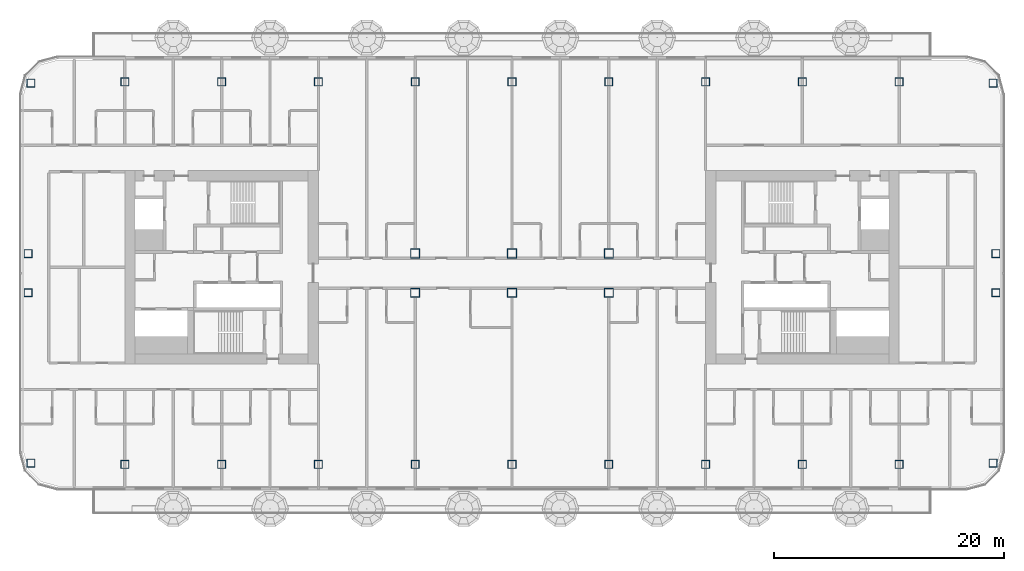
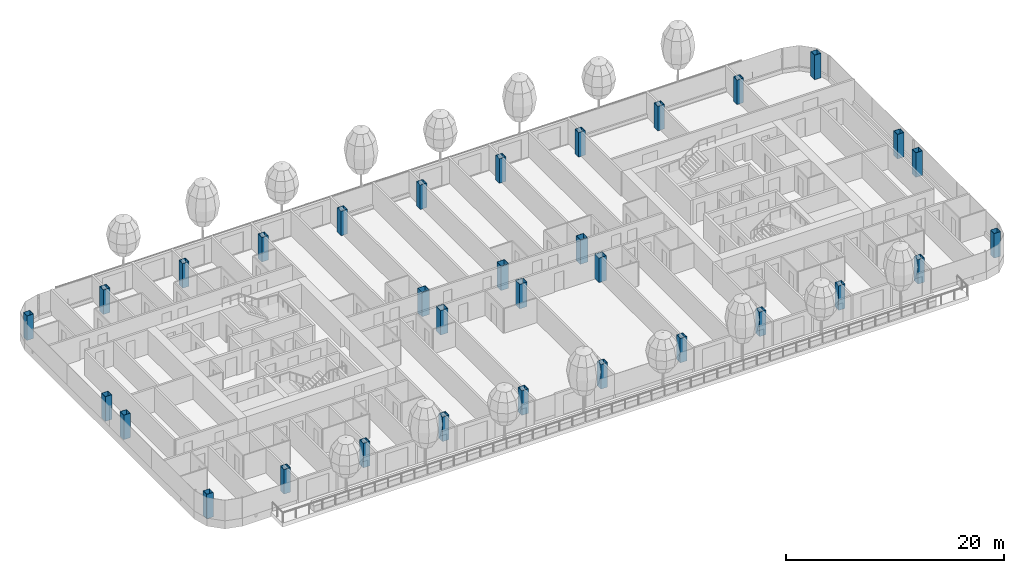
# One storey, part 1 of 32: 32 columns.
"""IFC4 building model written with IfcOpenShell, lengths in metres."""

from ifc_helpers import new_model, si_unit, direction, frame, origin, origin_2d, place, context, subcontext, project, spatial, hollow_rectangle, extrude, material, material_profile, profile_set, type_object, element, save


model = new_model("IFC4")

# Units and contexts
model_context = context("Model", 3, precision=1e-05, world=origin(), true_north=direction((0.0, 1.0)))
body_context = subcontext(model_context, "Body", "Model", "MODEL_VIEW")
ifc_project = project(units=[si_unit("LENGTHUNIT", "METRE"), si_unit("AREAUNIT", "SQUARE_METRE"), si_unit("VOLUMEUNIT", "CUBIC_METRE"), si_unit("PLANEANGLEUNIT", "RADIAN"), si_unit("MASSUNIT", "GRAM", prefix="KILO")], contexts=[model_context])

# Site, building, storey
site_placement = place(None, origin())
site = spatial("IfcSite", under=ifc_project, at=site_placement, CompositionType="ELEMENT")
building_placement = place(site_placement, origin())
building = spatial("IfcBuilding", under=site, at=building_placement, Name="Hakoniwa Tower and Hamabe Station Hall", CompositionType="ELEMENT")
storey_placement = place(building_placement, frame((0.0, 0.0, 150.199951171875)))
storey = spatial("IfcBuildingStorey", under=building, at=storey_placement, Name="L42", CompositionType="ELEMENT", Elevation=150.199951171875)

# Columns
ifc_material_1 = material(Name="Steel SN490C", Category="steel")
ifc_material_profile_1 = material_profile(ifc_material_1, hollow_rectangle(XDim=0.699951171875, YDim=0.699951171875, WallThickness=0.028076171875, at=origin_2d()), Name="BX-700x700x28")
ifc_profile_set_1 = profile_set([ifc_material_profile_1], Name="Steel SN490C")
column_type_1 = type_object("IfcColumnType", Name="COLUMN BX-700x700x28", PredefinedType="COLUMN", material=ifc_profile_set_1)
for number, where, z_axis, x_axis, name in (
    (1, (-41.74853515625, -16.99365234375, 0.0), (0.0, 0.0, 1.0), (1.0, 0.0, 0.0), "Column B3-2-A3"),
    (2, (-42.0, -2.199951171875, 0.0), (0.0, 0.0, 1.0), (1.0, 0.0, 0.0), "Column B3-2-C3"),
    (3, (-42.0, 1.199951171875, 0.0), (0.0, 0.0, 1.0), (1.0, 0.0, 0.0), "Column B3-2-D3"),
    (4, (-41.74853515625, 15.99365234375, 0.0), (0.0, 0.0, 1.0), (1.0, 0.0, 0.0), "Column B3-2-F3"),
    (5, (-33.60009765625, -17.10009765625, 0.0), (0.0, 0.0, 1.0), (1.0, 0.0, 0.0), "Column B3-3-A3"),
    (6, (-33.60009765625, 16.10009765625, 0.0), (0.0, 0.0, 1.0), (1.0, 0.0, 0.0), "Column B3-3-F3"),
    (7, (-25.199951171875, -17.10009765625, 0.0), (0.0, 0.0, 1.0), (1.0, 0.0, 0.0), "Column B3-4-A3"),
    (8, (-25.199951171875, 16.10009765625, 0.0), (0.0, 0.0, 1.0), (1.0, 0.0, 0.0), "Column B3-4-F3"),
    (9, (-16.800048828125, -17.10009765625, 0.0), (0.0, 0.0, 1.0), (1.0, 0.0, 0.0), "Column B3-5-A3"),
    (10, (-16.800048828125, 16.10009765625, 0.0), (0.0, 0.0, 1.0), (1.0, 0.0, 0.0), "Column B3-5-F3"),
    (11, (-8.39990234375, -17.10009765625, 0.0), (0.0, 0.0, 1.0), (1.0, 0.0, 0.0), "Column B3-6-A3"),
    (12, (-8.39990234375, 16.10009765625, 0.0), (0.0, 0.0, 1.0), (1.0, 0.0, 0.0), "Column B3-6-F3"),
    (13, (0.0, -17.10009765625, 0.0), (0.0, 0.0, 1.0), (1.0, 0.0, 0.0), "Column B3-7-A3"),
    (14, (0.0, 16.10009765625, 0.0), (0.0, 0.0, 1.0), (1.0, 0.0, 0.0), "Column B3-7-F3"),
    (15, (8.39990234375, -17.10009765625, 0.0), (0.0, 0.0, 1.0), (1.0, 0.0, 0.0), "Column B3-8-A3"),
    (16, (8.39990234375, 16.10009765625, 0.0), (0.0, 0.0, 1.0), (1.0, 0.0, 0.0), "Column B3-8-F3"),
    (17, (16.800048828125, -17.10009765625, 0.0), (0.0, 0.0, 1.0), (1.0, 0.0, 0.0), "Column B3-9-A3"),
    (18, (16.800048828125, 16.10009765625, 0.0), (0.0, 0.0, 1.0), (1.0, 0.0, 0.0), "Column B3-9-F3"),
    (19, (25.199951171875, -17.10009765625, 0.0), (0.0, 0.0, 1.0), (1.0, 0.0, 0.0), "Column B3-10-A3"),
    (20, (25.199951171875, 16.10009765625, 0.0), (0.0, 0.0, 1.0), (1.0, 0.0, 0.0), "Column B3-10-F3"),
    (21, (33.60009765625, -17.10009765625, 0.0), (0.0, 0.0, 1.0), (1.0, 0.0, 0.0), "Column B3-11-A3"),
    (22, (33.60009765625, 16.10009765625, 0.0), (0.0, 0.0, 1.0), (1.0, 0.0, 0.0), "Column B3-11-F3"),
    (23, (41.74853515625, -16.99365234375, 0.0), (0.0, 0.0, 1.0), (1.0, 0.0, 0.0), "Column B3-12-A3"),
    (24, (42.0, -2.199951171875, 0.0), (0.0, 0.0, 1.0), (1.0, 0.0, 0.0), "Column B3-12-C3"),
    (25, (42.0, 1.199951171875, 0.0), (0.0, 0.0, 1.0), (1.0, 0.0, 0.0), "Column B3-12-D3"),
    (26, (41.74853515625, 15.99365234375, 0.0), (0.0, 0.0, 1.0), (1.0, 0.0, 0.0), "Column B3-12-F3"),
):
    element("IfcColumn", number, at=place(storey_placement, frame(where, z_axis=z_axis, x_axis=x_axis)), inside=storey, type_object=column_type_1, Name=name, PredefinedType="COLUMN", context=body_context, shape_type="SweptSolid", body=[
        extrude(hollow_rectangle(XDim=0.699951171875, YDim=0.699951171875, WallThickness=0.028076171875, at=origin_2d()), origin(), (0.0, 0.0, 1.0), 2.75),
    ])
ifc_material_2 = material(Name="Steel SN490C", Category="steel")
ifc_material_profile_2 = material_profile(ifc_material_2, hollow_rectangle(XDim=0.800048828125, YDim=0.800048828125, WallThickness=0.031982421875, at=origin_2d()), Name="BX-800x800x32")
ifc_profile_set_2 = profile_set([ifc_material_profile_2], Name="Steel SN490C")
column_type_2 = type_object("IfcColumnType", Name="COLUMN BX-800x800x32", PredefinedType="COLUMN", material=ifc_profile_set_2)
for number, where, z_axis, x_axis, name in (
    (27, (-8.39990234375, -2.199951171875, 0.0), (0.0, 0.0, 1.0), (1.0, 0.0, 0.0), "Column B3-6-C3"),
    (28, (-8.39990234375, 1.199951171875, 0.0), (0.0, 0.0, 1.0), (1.0, 0.0, 0.0), "Column B3-6-D3"),
    (29, (0.0, -2.199951171875, 0.0), (0.0, 0.0, 1.0), (1.0, 0.0, 0.0), "Column B3-7-C3"),
    (30, (0.0, 1.199951171875, 0.0), (0.0, 0.0, 1.0), (1.0, 0.0, 0.0), "Column B3-7-D3"),
    (31, (8.39990234375, -2.199951171875, 0.0), (0.0, 0.0, 1.0), (1.0, 0.0, 0.0), "Column B3-8-C3"),
    (32, (8.39990234375, 1.199951171875, 0.0), (0.0, 0.0, 1.0), (1.0, 0.0, 0.0), "Column B3-8-D3"),
):
    element("IfcColumn", number, at=place(storey_placement, frame(where, z_axis=z_axis, x_axis=x_axis)), inside=storey, type_object=column_type_2, Name=name, PredefinedType="COLUMN", context=body_context, shape_type="SweptSolid", body=[
        extrude(hollow_rectangle(XDim=0.800048828125, YDim=0.800048828125, WallThickness=0.031982421875, at=origin_2d()), origin(), (0.0, 0.0, 1.0), 2.75),
    ])

save(model, "model.ifc")
